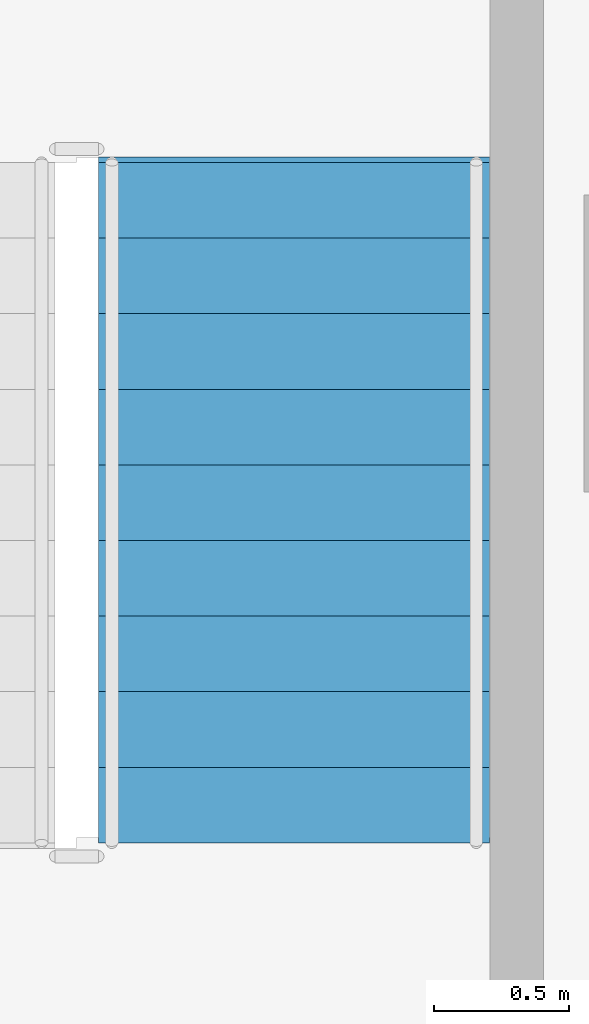
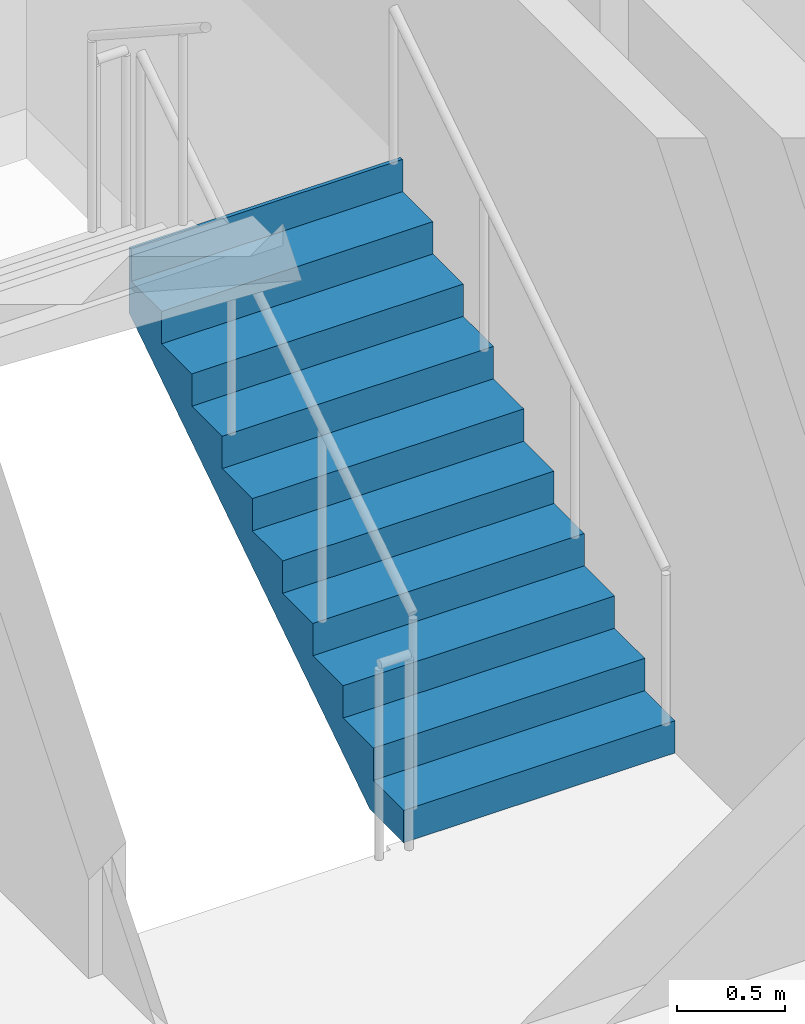
# One storey, part 10 of 14: 1 stair flight, 1 element without a shape of its own.
"""IFC4 building model written with IfcOpenShell, lengths in metres."""

import ifcopenshell
import ifcopenshell.guid

model = None  # the IFC model being written
_history = None  # IfcOwnerHistory: only IFC2X3 demands one
_inside = {}  # id of a spatial element -> (the spatial element, [elements in it])
_under = {}  # id of a project, library or spatial element -> (it, [spatial elements below it])
_declared = {}  # id of a project -> (the project, [libraries it declares])
_typed = {}  # id of a type object -> (the type object, [elements of that type])
_made_of = {}  # id of a material, layer set ... -> (it, [elements and type objects made of it])


def new_model(schema):
    """Start an empty IFC model of exactly this schema.

    Asked for "IFC4X3", IfcOpenShell would pick the latest addendum, in which some entities
    have other attributes; the version numbers below select the first issue.
    IFC2X3 requires an IfcOwnerHistory on every rooted entity: one is made here for all.
    """
    global model, _history
    if schema == "IFC4X3":
        model = ifcopenshell.file(schema_version=(4, 3, 0, 0))
    else:
        model = ifcopenshell.file(schema=schema)
    _inside.clear()
    _under.clear()
    _declared.clear()
    _typed.clear()
    _made_of.clear()
    _history = None
    if model.schema == "IFC2X3":
        org = make("IfcOrganization", Name="unknown")
        user = make(
            "IfcPersonAndOrganization",
            ThePerson=make("IfcPerson", FamilyName="unknown"),
            TheOrganization=org,
        )
        app = make(
            "IfcApplication",
            ApplicationDeveloper=org,
            Version="unknown",
            ApplicationFullName="unknown",
            ApplicationIdentifier="unknown",
        )
        _history = make(
            "IfcOwnerHistory",
            OwningUser=user,
            OwningApplication=app,
            ChangeAction="ADDED",
            CreationDate=0,
        )
    return model


def make(cls, **values):
    """One entity of the class cls with the attributes given. An attribute that is None is left unset."""
    return model.create_entity(
        cls, **{name: value for name, value in values.items() if value is not None}
    )


def rooted(cls, **values):
    """An entity with a GlobalId (a new one), such as an element, a storey or a relation."""
    return make(cls, GlobalId=ifcopenshell.guid.new(), OwnerHistory=_history, **values)


def si_unit(unit_type, name, prefix=None):
    """IfcSIUnit, for example si_unit("LENGTHUNIT", "METRE", prefix="MILLI")."""
    return make("IfcSIUnit", UnitType=unit_type, Prefix=prefix, Name=name)


def assignment(units):
    """IfcUnitAssignment: the units of a project."""
    return None if units is None else make("IfcUnitAssignment", Units=units)


def point(xyz):
    """IfcCartesianPoint."""
    return None if xyz is None else make("IfcCartesianPoint", Coordinates=xyz)


def direction(xyz):
    """IfcDirection."""
    return None if xyz is None else make("IfcDirection", DirectionRatios=xyz)


def frame(location, z_axis=None, x_axis=None):
    """IfcAxis2Placement3D, a coordinate frame: its origin and axes. An axis left out is left unset."""
    return make(
        "IfcAxis2Placement3D",
        Location=point(location),
        Axis=direction(z_axis),
        RefDirection=direction(x_axis),
    )


def origin():
    """The frame at (0, 0, 0) with its axes left unset."""
    return frame((0.0, 0.0, 0.0))


def place(relative_to, where):
    """IfcLocalPlacement: puts the frame where relative to a parent placement (None: the world)."""
    return make(
        "IfcLocalPlacement", PlacementRelTo=relative_to, RelativePlacement=where
    )


def context(
    kind, dimensions, precision=None, world=None, true_north=None, identifier=None
):
    """IfcGeometricRepresentationContext, for example the 3D "Model" context."""
    return make(
        "IfcGeometricRepresentationContext",
        ContextIdentifier=identifier,
        ContextType=kind,
        CoordinateSpaceDimension=dimensions,
        Precision=precision,
        WorldCoordinateSystem=world,
        TrueNorth=true_north,
    )


def subcontext(parent, identifier, kind, view, scale=None):
    """IfcGeometricRepresentationSubContext, for example "Body" below "Model"."""
    return make(
        "IfcGeometricRepresentationSubContext",
        ContextIdentifier=identifier,
        ContextType=kind,
        ParentContext=parent,
        TargetScale=scale,
        TargetView=view,
    )


def project(units=None, contexts=None):
    """IfcProject with its units and contexts."""
    return rooted(
        "IfcProject",
        Name="project",
        RepresentationContexts=contexts,
        UnitsInContext=assignment(units),
    )


def spatial(cls, under=None, at=None, **own):
    """A site, building, storey or space (cls), placed at a placement, below another one or the project."""
    s = rooted(cls, ObjectPlacement=at, **own)
    if under is not None:
        _under.setdefault(under.id(), (under, []))[1].append(s)
    return s


def polyline(points):
    """IfcPolyline through the points."""
    return make("IfcPolyline", Points=[point(p) for p in points])


def outline(outer, holes=None, kind="AREA"):
    """IfcArbitraryClosedProfileDef: a profile drawn as a closed curve; with holes, ...WithVoids."""
    if holes is None:
        return make("IfcArbitraryClosedProfileDef", ProfileType=kind, OuterCurve=outer)
    return make(
        "IfcArbitraryProfileDefWithVoids",
        ProfileType=kind,
        OuterCurve=outer,
        InnerCurves=holes,
    )


def extrude(swept, where, along, depth):
    """IfcExtrudedAreaSolid: the profile swept, set in the frame where, extruded along a direction by depth."""
    return make(
        "IfcExtrudedAreaSolid",
        SweptArea=swept,
        Position=where,
        ExtrudedDirection=direction(along),
        Depth=depth,
    )


def shape(context_of_items, identifier, shape_type, items):
    """IfcShapeRepresentation: the items that make up one representation, for example the "Body"."""
    return make(
        "IfcShapeRepresentation",
        ContextOfItems=context_of_items,
        RepresentationIdentifier=identifier,
        RepresentationType=shape_type,
        Items=items,
    )


def material(Name=None, Category=None):
    """IfcMaterial."""
    return make("IfcMaterial", Name=Name, Category=Category)


def made_of(thing, what):
    """Note that an element or type object is made of a material, layer set ...; save() writes the relation."""
    if what is not None:
        _made_of.setdefault(what.id(), (what, []))[1].append(thing)
    return thing


def type_object(cls, material=None, **own):
    """A type object (cls), such as IfcWallType, which elements share."""
    return made_of(rooted(cls, **own), material)


def element(
    cls,
    number,
    at=None,
    inside=None,
    cuts=None,
    type_object=None,
    material=None,
    context=None,
    identifier="Body",
    shape_type=None,
    held_by="IfcProductDefinitionShape",
    body=None,
    shapes=None,
    **own,
):
    """One element of the class cls, such as IfcWall. Its Tag is "e" and its number.

    at: its placement. inside: the storey or other place that contains it. cuts: it is an
    opening in that element (IfcRelVoidsElement). A single representation is given by context,
    identifier, shape_type and body (its items); several are given by shapes. held_by: the class
    of the entity that holds the representations. save() writes the other relations.
    """
    e = rooted(cls, Tag="e%d" % number, ObjectPlacement=at, **own)
    if body is not None:
        shapes = [shape(context, identifier, shape_type, body)]
    if shapes is not None:
        e.Representation = make(held_by, Representations=shapes)
    if inside is not None:
        _inside.setdefault(inside.id(), (inside, []))[1].append(e)
    if cuts is not None:
        rooted(
            "IfcRelVoidsElement", RelatingBuildingElement=cuts, RelatedOpeningElement=e
        )
    if type_object is not None:
        _typed.setdefault(type_object.id(), (type_object, []))[1].append(e)
    return made_of(e, material)


def aggregate(whole, parts):
    """IfcRelAggregates: a whole, such as a stair, and the parts it consists of."""
    return rooted("IfcRelAggregates", RelatingObject=whole, RelatedObjects=parts)


def save(model, path):
    """Write the relations noted so far, then the file.

    IfcRelAggregates (storeys below a building ...), IfcRelContainedInSpatialStructure (elements
    in a storey), IfcRelDefinesByType, IfcRelAssociatesMaterial and IfcRelDeclares: one each for
    every whole, place, type object, material and project.
    """
    for whole, parts in _under.values():
        aggregate(whole, parts)
    for where, things in _inside.values():
        rooted(
            "IfcRelContainedInSpatialStructure",
            RelatedElements=things,
            RelatingStructure=where,
        )
    for kind, things in _typed.values():
        rooted("IfcRelDefinesByType", RelatedObjects=things, RelatingType=kind)
    for what, things in _made_of.values():
        rooted("IfcRelAssociatesMaterial", RelatedObjects=things, RelatingMaterial=what)
    for by, libraries in _declared.values():
        rooted("IfcRelDeclares", RelatingContext=by, RelatedDefinitions=libraries)
    model.write(path)


model = new_model("IFC4")

# Units and contexts
model_context = context("Model", 3, precision=1e-05, world=origin(), true_north=direction((0.0, 1.0)))
body_context = subcontext(model_context, "Body", "Model", "MODEL_VIEW")
ifc_project = project(units=[si_unit("LENGTHUNIT", "METRE"), si_unit("AREAUNIT", "SQUARE_METRE"), si_unit("VOLUMEUNIT", "CUBIC_METRE"), si_unit("PLANEANGLEUNIT", "RADIAN"), si_unit("MASSUNIT", "GRAM", prefix="KILO")], contexts=[model_context])

# Site, building, storey
site_placement = place(None, origin())
site = spatial("IfcSite", under=ifc_project, at=site_placement, CompositionType="ELEMENT")
building_placement = place(site_placement, origin())
building = spatial("IfcBuilding", under=site, at=building_placement, Name="Nuvemarco Arch Tower", CompositionType="ELEMENT")
storey_placement = place(building_placement, frame((0.0, 0.0, 109.25)))
storey = spatial("IfcBuildingStorey", under=building, at=storey_placement, Name="L28", CompositionType="ELEMENT", Elevation=109.25)

# Stair, stair flight
ifc_material = material(Name="Precast concrete C45/55", Category="concrete")
stair_type = type_object("IfcStairType", Name="ST-CORE-20R", PredefinedType="HALF_TURN_STAIR", material=ifc_material)
stair_placement = place(storey_placement, origin())
stair = element("IfcStair", 1, at=stair_placement, inside=storey, type_object=stair_type, Name="L28 Protected Exit Stair ST-2", PredefinedType="HALF_TURN_STAIR")
stair_flight_type = type_object("IfcStairFlightType", Name="SF-CORE-20R", PredefinedType="STRAIGHT", material=ifc_material)
stair_flight_placement = place(storey_placement, frame((15.875, 2.64990234375, 0.0), z_axis=(0.0, 0.0, 1.0), x_axis=(0.0, 1.0, 0.0)))
stair_flight = element("IfcStairFlight", 2, at=stair_flight_placement, type_object=stair_flight_type, Name="ST-20R flight 1", NumberOfRisers=10, NumberOfTreads=9, PredefinedType="STRAIGHT", RiserHeight=0.1825, TreadLength=0.28, context=body_context, shape_type="SweptSolid", body=[
    extrude(outline(polyline([(0.0, 0.0), (0.0, 0.1826171875), (0.280029296875, 0.1826171875), (0.280029296875, 0.364990234375), (0.56005859375, 0.364990234375), (0.56005859375, 0.547607421875), (0.840087890625, 0.547607421875), (0.840087890625, 0.72998046875), (1.1201171875, 0.72998046875), (1.1201171875, 0.91259765625), (1.39990234375, 0.91259765625), (1.39990234375, 1.094970703125), (1.679931640625, 1.094970703125), (1.679931640625, 1.277587890625), (1.9599609375, 1.277587890625), (1.9599609375, 1.4599609375), (2.239990234375, 1.4599609375), (2.239990234375, 1.642578125), (2.52001953125, 1.642578125), (2.52001953125, 1.824951171875), (2.5400390625, 1.824951171875), (2.5400390625, 1.45166015625), (0.312744140625, 0.0), (0.0, 0.0)])), frame((0.0, 0.72509765625, 0.0), z_axis=(0.0, -1.0, 0.0), x_axis=(1.0, 0.0, 0.0)), (0.0, 0.0, 1.0), 1.449951171875),
])
aggregate(stair, [stair_flight])

save(model, "model.ifc")
